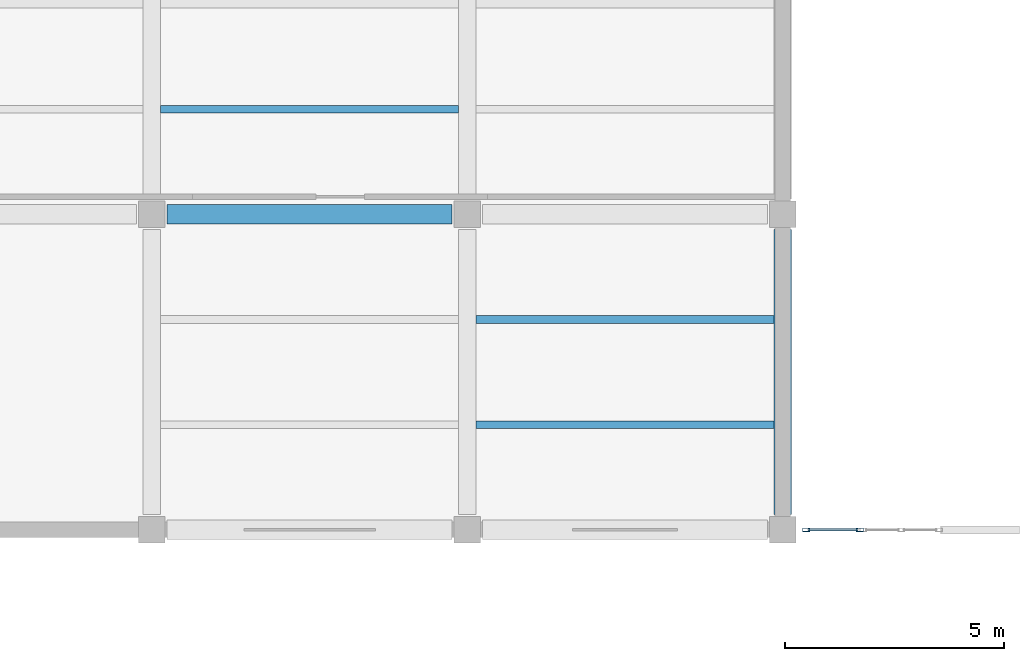
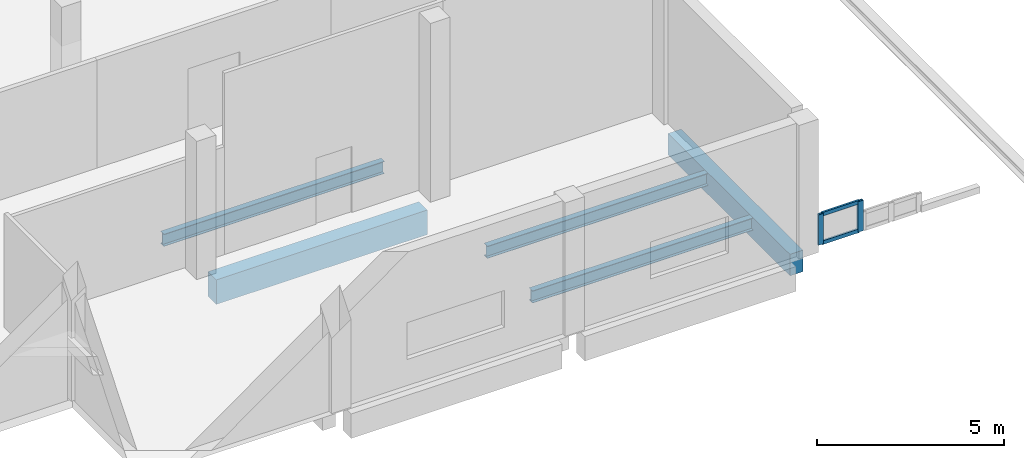
# One storey, part 42 of 105: 5 beams, 4 members, 1 element without a shape of its own.
"""IFC4 building model written with IfcOpenShell, lengths in metres."""

from ifc_helpers import new_model, si_unit, direction, frame, origin, origin_2d, place, context, subcontext, project, spatial, rectangle, hollow_rectangle, i_section, extrude, material, layer, layer_set, material_profile, profile_set, type_object, element, aggregate, save


model = new_model("IFC4")

# Units and contexts
model_context = context("Model", 3, precision=1e-05, world=origin(), true_north=direction((0.0, 1.0)))
body_context = subcontext(model_context, "Body", "Model", "MODEL_VIEW")
ifc_project = project(units=[si_unit("LENGTHUNIT", "METRE"), si_unit("AREAUNIT", "SQUARE_METRE"), si_unit("VOLUMEUNIT", "CUBIC_METRE"), si_unit("PLANEANGLEUNIT", "RADIAN"), si_unit("MASSUNIT", "GRAM", prefix="KILO"), si_unit("THERMODYNAMICTEMPERATUREUNIT", "KELVIN"), si_unit("POWERUNIT", "WATT")], contexts=[model_context])

# Site, building, storey
site_placement = place(None, origin())
site = spatial("IfcSite", under=ifc_project, at=site_placement, CompositionType="ELEMENT")
building_placement = place(site_placement, origin())
building = spatial("IfcBuilding", under=site, at=building_placement, Name="Kaldorven Railside Theatre", CompositionType="ELEMENT")
storey_placement = place(building_placement, frame((0.0, 0.0, 9.89990234375)))
storey = spatial("IfcBuildingStorey", under=building, at=storey_placement, Name="L02", CompositionType="ELEMENT", Elevation=9.89990234375)

# Beams
ifc_material_1 = material(Name="Steel S355", Category="steel")
ifc_material_profile_1 = material_profile(ifc_material_1, i_section(OverallWidth=0.179931640625, OverallDepth=0.39990234375, WebThickness=0.008544921875, FlangeThickness=0.013427734375, at=origin_2d()), Name="IPE 400")
ifc_profile_set_1 = profile_set([ifc_material_profile_1], Name="Steel S355")
beam_type_1 = type_object("IfcBeamType", Name="BM-IPE400", PredefinedType="JOIST", material=ifc_profile_set_1)
for number, where, z_axis, x_axis, name in (
    (1, (173.800048828125, 115.199951171875, -0.47998046875), (1.0, 0.0, 0.0), (0.0, 1.0, 0.0), "L02 Secondary Floor Joist JG-L02-173-1152"),
    (2, (173.800048828125, 117.60009765625, -0.47998046875), (1.0, 0.0, 0.0), (0.0, 1.0, 0.0), "L02 Secondary Floor Joist JG-L02-173-1176"),
):
    element("IfcBeam", number, at=place(storey_placement, frame(where, z_axis=z_axis, x_axis=x_axis)), inside=storey, type_object=beam_type_1, Name=name, PredefinedType="JOIST", context=body_context, shape_type="SweptSolid", body=[
        extrude(i_section(OverallWidth=0.179931640625, OverallDepth=0.39990234375, WebThickness=0.008544921875, FlangeThickness=0.013427734375, at=origin_2d()), origin(), (0.0, 0.0, 1.0), 6.800048828125),
    ])
beam_1_placement = place(storey_placement, frame((166.60009765625, 122.39990234375, -0.47998046875), z_axis=(1.0, 0.0, 0.0), x_axis=(0.0, 1.0, 0.0)))
element("IfcBeam", 3, at=beam_1_placement, inside=storey, type_object=beam_type_1, Name="L02 Secondary Floor Joist JG-L02-166-1224", PredefinedType="JOIST", context=body_context, shape_type="SweptSolid", body=[
    extrude(i_section(OverallWidth=0.179931640625, OverallDepth=0.39990234375, WebThickness=0.008544921875, FlangeThickness=0.013427734375, at=origin_2d()), origin(), (0.0, 0.0, 1.0), 6.7998046875),
])
ifc_material_2 = material(Name="Concrete C40/50", Category="concrete")
ifc_material_profile_2 = material_profile(ifc_material_2, rectangle(XDim=0.39990234375, YDim=0.699951171875, at=origin_2d()), Name="RC 400x700")
ifc_profile_set_2 = profile_set([ifc_material_profile_2], Name="Concrete C40/50")
beam_type_2 = type_object("IfcBeamType", Name="BM-RC400x700", PredefinedType="BEAM", material=ifc_profile_set_2)
beam_2_placement = place(storey_placement, frame((180.800048828125, 113.14990234375, -0.6298828125), z_axis=(0.0, 1.0, 0.0), x_axis=(-1.0, 0.0, 0.0)))
element("IfcBeam", 4, at=beam_2_placement, inside=storey, type_object=beam_type_2, Name="L02 Girder BGY-L02-180-112-72", PredefinedType="BEAM", context=body_context, shape_type="SweptSolid", body=[
    extrude(rectangle(XDim=0.39990234375, YDim=0.699951171875, at=origin_2d()), origin(), (0.0, 0.0, 1.0), 6.5),
])
ifc_material_profile_3 = material_profile(ifc_material_2, rectangle(XDim=0.449951171875, YDim=0.800048828125, at=origin_2d()), Name="RC 450x800")
ifc_profile_set_3 = profile_set([ifc_material_profile_3], Name="Concrete C40/50")
beam_type_3 = type_object("IfcBeamType", Name="BM-RC450x800", PredefinedType="BEAM", material=ifc_profile_set_3)
beam_3_placement = place(storey_placement, frame((166.75, 120.0, -0.679931640625), z_axis=(1.0, 0.0, 0.0), x_axis=(0.0, 1.0, 0.0)))
element("IfcBeam", 5, at=beam_3_placement, inside=storey, type_object=beam_type_3, Name="L02 Girder BGX-L02-166-120", PredefinedType="BEAM", context=body_context, shape_type="SweptSolid", body=[
    extrude(rectangle(XDim=0.449951171875, YDim=0.800048828125, at=origin_2d()), origin(), (0.0, 0.0, 1.0), 6.5),
])

# Curtain wall, members
ifc_material_3 = material(Name="Low-E laminated solar-control glass", Category="glass")
ifc_layer = layer(ifc_material_3, 0.159912109375, Name="Low-E laminated solar-control glass")
ifc_layer_set = layer_set([ifc_layer], Name="Low-E laminated solar-control glass")
curtain_wall_type = type_object("IfcCurtainWallType", Name="CWT-69", PredefinedType="USERDEFINED", material=ifc_layer_set)
curtain_wall_placement = place(storey_placement, origin())
curtain_wall = element("IfcCurtainWall", 6, at=curtain_wall_placement, inside=storey, type_object=curtain_wall_type, Name="Workshop East Gable Clerestory CWG-151", ObjectType="FLUTED GLAZING", PredefinedType="USERDEFINED")
ifc_material_4 = material(Name="Anodised bronze aluminium", Category="aluminium")
ifc_material_profile_4 = material_profile(ifc_material_4, hollow_rectangle(XDim=0.080078125, YDim=0.159912109375, WallThickness=0.00634765625, at=origin_2d()), Name="RHS 160x80x6.3")
ifc_profile_set_4 = profile_set([ifc_material_profile_4], Name="Anodised bronze aluminium")
member_type_1 = type_object("IfcMemberType", Name="CWM-160", PredefinedType="MULLION", material=ifc_profile_set_4)
member_1_placement = place(storey_placement, frame((181.330078125, 112.800048828125, 0.02001953125), z_axis=(0.0, 0.0, 1.0), x_axis=(0.0, 1.0, 0.0)))
member_1 = element("IfcMember", 7, at=member_1_placement, type_object=member_type_1, Name="CWG-151 mullion 1", PredefinedType="MULLION", context=body_context, shape_type="SweptSolid", body=[
    extrude(hollow_rectangle(XDim=0.080078125, YDim=0.159912109375, WallThickness=0.00634765625, at=origin_2d()), origin(), (0.0, 0.0, 1.0), 0.989990234375),
])
member_2_placement = place(storey_placement, frame((182.56005859375, 112.800048828125, 0.02001953125), z_axis=(0.0, 0.0, 1.0), x_axis=(0.0, 1.0, 0.0)))
member_2 = element("IfcMember", 8, at=member_2_placement, type_object=member_type_1, Name="CWG-151 mullion 2", PredefinedType="MULLION", context=body_context, shape_type="SweptSolid", body=[
    extrude(hollow_rectangle(XDim=0.080078125, YDim=0.159912109375, WallThickness=0.00634765625, at=origin_2d()), origin(), (0.0, 0.0, 1.0), 0.989990234375),
])
ifc_material_profile_5 = material_profile(ifc_material_4, hollow_rectangle(XDim=0.06005859375, YDim=0.1201171875, WallThickness=0.0048828125, at=origin_2d()), Name="RHS 120x60x5")
ifc_profile_set_5 = profile_set([ifc_material_profile_5], Name="Anodised bronze aluminium")
member_type_2 = type_object("IfcMemberType", Name="CWT-120", PredefinedType="USERDEFINED", material=ifc_profile_set_5)
member_3_placement = place(storey_placement, frame((181.3701171875, 112.800048828125, 0.050048828125), z_axis=(1.0, 0.0, 0.0), x_axis=(0.0, 1.0, 0.0)))
member_3 = element("IfcMember", 9, at=member_3_placement, type_object=member_type_2, Name="CWG-151 transom 1.1", ObjectType="TRANSOM", PredefinedType="USERDEFINED", context=body_context, shape_type="SweptSolid", body=[
    extrude(hollow_rectangle(XDim=0.06005859375, YDim=0.1201171875, WallThickness=0.0048828125, at=origin_2d()), origin(), (0.0, 0.0, 1.0), 1.14990234375),
])
member_4_placement = place(storey_placement, frame((181.3701171875, 112.800048828125, 0.97998046875), z_axis=(1.0, 0.0, 0.0), x_axis=(0.0, 1.0, 0.0)))
member_4 = element("IfcMember", 10, at=member_4_placement, type_object=member_type_2, Name="CWG-151 transom 1.2", ObjectType="TRANSOM", PredefinedType="USERDEFINED", context=body_context, shape_type="SweptSolid", body=[
    extrude(hollow_rectangle(XDim=0.06005859375, YDim=0.1201171875, WallThickness=0.0048828125, at=origin_2d()), origin(), (0.0, 0.0, 1.0), 1.14990234375),
])
aggregate(curtain_wall, [member_1, member_2, member_3, member_4])

save(model, "model.ifc")
